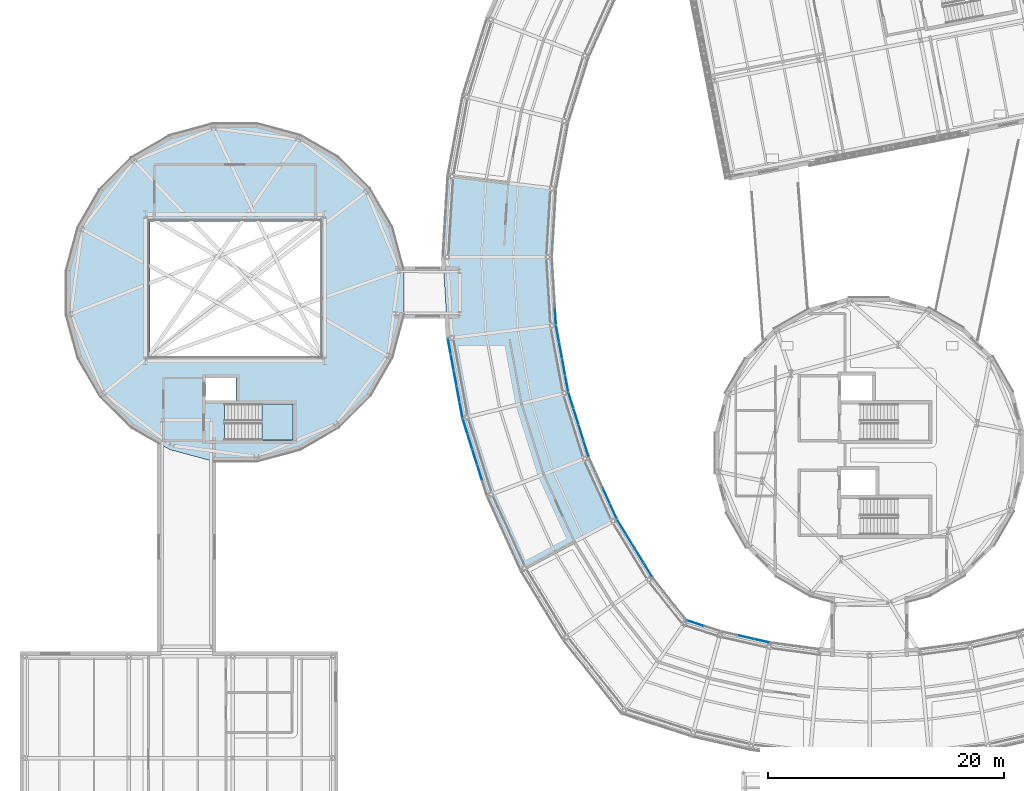
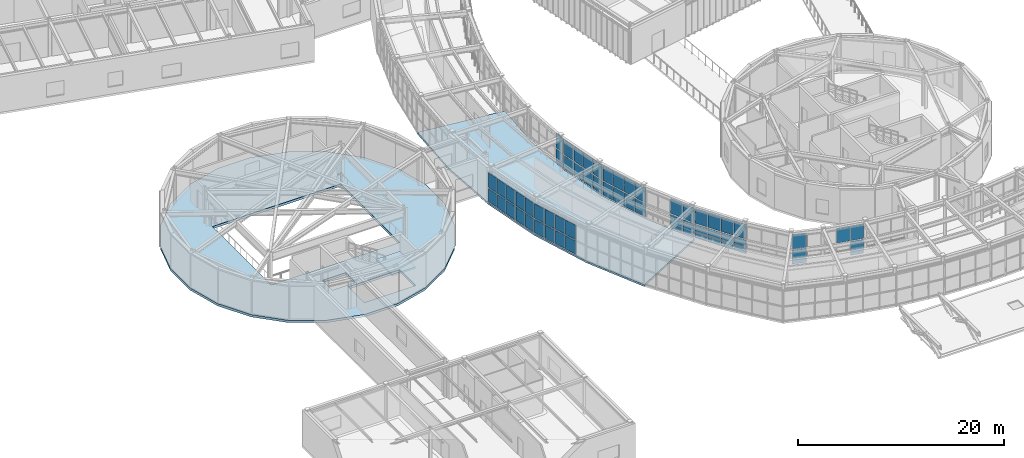
# One storey, part 57 of 103: 53 plates, 3 slabs, 10 elements without a shape of their own.
"""IFC4 building model written with IfcOpenShell, lengths in metres."""

from ifc_helpers import new_model, si_unit, direction, frame, origin, origin_2d, place, context, subcontext, project, spatial, polyline, rectangle, outline, extrude, material, layer, layer_set, type_object, element, aggregate, save


model = new_model("IFC4")

# Units and contexts
model_context = context("Model", 3, precision=1e-05, world=origin(), true_north=direction((0.0, 1.0)))
body_context = subcontext(model_context, "Body", "Model", "MODEL_VIEW")
ifc_project = project(units=[si_unit("LENGTHUNIT", "METRE"), si_unit("AREAUNIT", "SQUARE_METRE"), si_unit("VOLUMEUNIT", "CUBIC_METRE"), si_unit("PLANEANGLEUNIT", "RADIAN"), si_unit("MASSUNIT", "GRAM", prefix="KILO")], contexts=[model_context])

# Site, building, storey
site_placement = place(None, origin())
site = spatial("IfcSite", under=ifc_project, at=site_placement, CompositionType="ELEMENT")
building_placement = place(site_placement, origin())
building = spatial("IfcBuilding", under=site, at=building_placement, Name="Varnklinge Art Gallery", CompositionType="ELEMENT")
storey_placement = place(building_placement, frame((0.0, 0.0, 5.10009765625)))
storey = spatial("IfcBuildingStorey", under=building, at=storey_placement, Name="L01", CompositionType="ELEMENT", Elevation=5.10009765625)

# Curtain wall, plates
ifc_material_1 = material(Name="Anodised Aluminium", Category="aluminium")
curtain_wall_type_1 = type_object("IfcCurtainWallType", Name="CW-R04", PredefinedType="USERDEFINED", material=ifc_material_1)
curtain_wall_1_placement = place(storey_placement, origin())
curtain_wall_1 = element("IfcCurtainWall", 1, at=curtain_wall_1_placement, inside=storey, type_object=curtain_wall_type_1, Name="L01 Curtain Wall CW-V2I-L01-27", ObjectType="UNITISED CURTAIN WALL", PredefinedType="USERDEFINED")
ifc_material_2 = material(Name="Insulated Low-E Triple Glazing", Category="glass")
ifc_layer_1 = layer(ifc_material_2, 0.031982421875)
ifc_layer_set_1 = layer_set([ifc_layer_1], Name="Insulated Low-E Triple Glazing")
plate_type_1 = type_object("IfcPlateType", Name="GLZ-32", PredefinedType="CURTAIN_PANEL", material=ifc_layer_set_1)
plate_1_placement = place(storey_placement, frame((48.91455078125, 49.97802734375, 0.11767578125), z_axis=(0.0, 0.0, 1.0), x_axis=(-0.06087433122, 0.9981454382, 0.0)))
plate_1 = element("IfcPlate", 2, at=plate_1_placement, type_object=plate_type_1, Name="CW-V2I-L01-27 Glazing Panel 1.1", PredefinedType="CURTAIN_PANEL", context=body_context, shape_type="SweptSolid", body=[
    extrude(rectangle(XDim=1.355712890625, YDim=0.031982421875, at=origin_2d()), origin(), (0.0, 0.0, 1.0), 1.614501953125),
])
plate_2_placement = place(storey_placement, frame((48.91455078125, 49.97802734375, 1.84814453125), z_axis=(0.0, 0.0, 1.0), x_axis=(-0.06087433122, 0.9981454382, 0.0)))
plate_2 = element("IfcPlate", 3, at=plate_2_placement, type_object=plate_type_1, Name="CW-V2I-L01-27 Glazing Panel 1.2", PredefinedType="CURTAIN_PANEL", context=body_context, shape_type="SweptSolid", body=[
    extrude(rectangle(XDim=1.355712890625, YDim=0.031982421875, at=origin_2d()), origin(), (0.0, 0.0, 1.0), 1.763671875),
])
aggregate(curtain_wall_1, [plate_1, plate_2])

curtain_wall_2_placement = place(storey_placement, origin())
curtain_wall_2 = element("IfcCurtainWall", 4, at=curtain_wall_2_placement, inside=storey, type_object=curtain_wall_type_1, Name="L01 Curtain Wall CW-V2I-L01-28", ObjectType="UNITISED CURTAIN WALL", PredefinedType="USERDEFINED")
plate_3_placement = place(storey_placement, frame((49.873291015625, 44.296142578125, 0.11767578125), z_axis=(0.0, 0.0, 1.0), x_axis=(-0.181549039717, 0.983381892338, 0.0)))
plate_3 = element("IfcPlate", 5, at=plate_3_placement, type_object=plate_type_1, Name="CW-V2I-L01-28 Glazing Panel 1.1", PredefinedType="CURTAIN_PANEL", context=body_context, shape_type="SweptSolid", body=[
    extrude(rectangle(XDim=1.355712890625, YDim=0.031982421875, at=origin_2d()), origin(), (0.0, 0.0, 1.0), 1.614501953125),
])
plate_4_placement = place(storey_placement, frame((49.873291015625, 44.296142578125, 1.84814453125), z_axis=(0.0, 0.0, 1.0), x_axis=(-0.181549039717, 0.983381892338, 0.0)))
plate_4 = element("IfcPlate", 6, at=plate_4_placement, type_object=plate_type_1, Name="CW-V2I-L01-28 Glazing Panel 1.2", PredefinedType="CURTAIN_PANEL", context=body_context, shape_type="SweptSolid", body=[
    extrude(rectangle(XDim=1.355712890625, YDim=0.031982421875, at=origin_2d()), origin(), (0.0, 0.0, 1.0), 1.763671875),
])
plate_5_placement = place(storey_placement, frame((49.614013671875, 45.69921875, 0.11767578125), z_axis=(0.0, 0.0, 1.0), x_axis=(-0.181549039717, 0.983381892338, 0.0)))
plate_5 = element("IfcPlate", 7, at=plate_5_placement, type_object=plate_type_1, Name="CW-V2I-L01-28 Glazing Panel 2.1", PredefinedType="CURTAIN_PANEL", context=body_context, shape_type="SweptSolid", body=[
    extrude(rectangle(XDim=1.3857421875, YDim=0.031982421875, at=origin_2d()), origin(), (0.0, 0.0, 1.0), 1.614501953125),
])
plate_6_placement = place(storey_placement, frame((49.614013671875, 45.69921875, 1.84814453125), z_axis=(0.0, 0.0, 1.0), x_axis=(-0.181549039717, 0.983381892338, 0.0)))
plate_6 = element("IfcPlate", 8, at=plate_6_placement, type_object=plate_type_1, Name="CW-V2I-L01-28 Glazing Panel 2.2", PredefinedType="CURTAIN_PANEL", context=body_context, shape_type="SweptSolid", body=[
    extrude(rectangle(XDim=1.3857421875, YDim=0.031982421875, at=origin_2d()), origin(), (0.0, 0.0, 1.0), 1.763671875),
])
plate_7_placement = place(storey_placement, frame((49.352294921875, 47.116943359375, 0.11767578125), z_axis=(0.0, 0.0, 1.0), x_axis=(-0.181549039717, 0.983381892338, 0.0)))
plate_7 = element("IfcPlate", 9, at=plate_7_placement, type_object=plate_type_1, Name="CW-V2I-L01-28 Glazing Panel 3.1", PredefinedType="CURTAIN_PANEL", context=body_context, shape_type="SweptSolid", body=[
    extrude(rectangle(XDim=1.3857421875, YDim=0.031982421875, at=origin_2d()), origin(), (0.0, 0.0, 1.0), 1.614501953125),
])
plate_8_placement = place(storey_placement, frame((49.352294921875, 47.116943359375, 1.84814453125), z_axis=(0.0, 0.0, 1.0), x_axis=(-0.181549039717, 0.983381892338, 0.0)))
plate_8 = element("IfcPlate", 10, at=plate_8_placement, type_object=plate_type_1, Name="CW-V2I-L01-28 Glazing Panel 3.2", PredefinedType="CURTAIN_PANEL", context=body_context, shape_type="SweptSolid", body=[
    extrude(rectangle(XDim=1.3857421875, YDim=0.031982421875, at=origin_2d()), origin(), (0.0, 0.0, 1.0), 1.763671875),
])
plate_9_placement = place(storey_placement, frame((49.093017578125, 48.52001953125, 0.11767578125), z_axis=(0.0, 0.0, 1.0), x_axis=(-0.181549039717, 0.983381892338, 0.0)))
plate_9 = element("IfcPlate", 11, at=plate_9_placement, type_object=plate_type_1, Name="CW-V2I-L01-28 Glazing Panel 4.1", PredefinedType="CURTAIN_PANEL", context=body_context, shape_type="SweptSolid", body=[
    extrude(rectangle(XDim=1.355712890625, YDim=0.031982421875, at=origin_2d()), origin(), (0.0, 0.0, 1.0), 1.614501953125),
])
plate_10_placement = place(storey_placement, frame((49.093017578125, 48.52001953125, 1.84814453125), z_axis=(0.0, 0.0, 1.0), x_axis=(-0.181549039717, 0.983381892338, 0.0)))
plate_10 = element("IfcPlate", 12, at=plate_10_placement, type_object=plate_type_1, Name="CW-V2I-L01-28 Glazing Panel 4.2", PredefinedType="CURTAIN_PANEL", context=body_context, shape_type="SweptSolid", body=[
    extrude(rectangle(XDim=1.355712890625, YDim=0.031982421875, at=origin_2d()), origin(), (0.0, 0.0, 1.0), 1.763671875),
])
aggregate(curtain_wall_2, [plate_3, plate_4, plate_5, plate_6, plate_7, plate_8, plate_9, plate_10])

curtain_wall_3_placement = place(storey_placement, origin())
curtain_wall_3 = element("IfcCurtainWall", 13, at=curtain_wall_3_placement, inside=storey, type_object=curtain_wall_type_1, Name="L01 Curtain Wall CW-V2I-L01-29", ObjectType="UNITISED CURTAIN WALL", PredefinedType="USERDEFINED")
plate_11_placement = place(storey_placement, frame((51.514892578125, 38.7724609375, 0.11767578125), z_axis=(0.0, 0.0, 1.0), x_axis=(-0.299706904751, 0.954031326134, 0.0)))
plate_11 = element("IfcPlate", 14, at=plate_11_placement, type_object=plate_type_1, Name="CW-V2I-L01-29 Glazing Panel 1.1", PredefinedType="CURTAIN_PANEL", context=body_context, shape_type="SweptSolid", body=[
    extrude(rectangle(XDim=1.355712890625, YDim=0.031982421875, at=origin_2d()), origin(), (0.0, 0.0, 1.0), 1.614501953125),
])
plate_12_placement = place(storey_placement, frame((51.514892578125, 38.7724609375, 1.84814453125), z_axis=(0.0, 0.0, 1.0), x_axis=(-0.299706904751, 0.954031326134, 0.0)))
plate_12 = element("IfcPlate", 15, at=plate_12_placement, type_object=plate_type_1, Name="CW-V2I-L01-29 Glazing Panel 1.2", PredefinedType="CURTAIN_PANEL", context=body_context, shape_type="SweptSolid", body=[
    extrude(rectangle(XDim=1.355712890625, YDim=0.031982421875, at=origin_2d()), origin(), (0.0, 0.0, 1.0), 1.763671875),
])
plate_13_placement = place(storey_placement, frame((51.08740234375, 40.1337890625, 0.11767578125), z_axis=(0.0, 0.0, 1.0), x_axis=(-0.299706904751, 0.954031326134, 0.0)))
plate_13 = element("IfcPlate", 16, at=plate_13_placement, type_object=plate_type_1, Name="CW-V2I-L01-29 Glazing Panel 2.1", PredefinedType="CURTAIN_PANEL", context=body_context, shape_type="SweptSolid", body=[
    extrude(rectangle(XDim=1.3857421875, YDim=0.031982421875, at=origin_2d()), origin(), (0.0, 0.0, 1.0), 1.614501953125),
])
plate_14_placement = place(storey_placement, frame((51.08740234375, 40.1337890625, 1.84814453125), z_axis=(0.0, 0.0, 1.0), x_axis=(-0.299706904751, 0.954031326134, 0.0)))
plate_14 = element("IfcPlate", 17, at=plate_14_placement, type_object=plate_type_1, Name="CW-V2I-L01-29 Glazing Panel 2.2", PredefinedType="CURTAIN_PANEL", context=body_context, shape_type="SweptSolid", body=[
    extrude(rectangle(XDim=1.3857421875, YDim=0.031982421875, at=origin_2d()), origin(), (0.0, 0.0, 1.0), 1.763671875),
])
plate_15_placement = place(storey_placement, frame((50.6552734375, 41.509033203125, 0.11767578125), z_axis=(0.0, 0.0, 1.0), x_axis=(-0.299706904751, 0.954031326134, 0.0)))
plate_15 = element("IfcPlate", 18, at=plate_15_placement, type_object=plate_type_1, Name="CW-V2I-L01-29 Glazing Panel 3.1", PredefinedType="CURTAIN_PANEL", context=body_context, shape_type="SweptSolid", body=[
    extrude(rectangle(XDim=1.3857421875, YDim=0.031982421875, at=origin_2d()), origin(), (0.0, 0.0, 1.0), 1.614501953125),
])
plate_16_placement = place(storey_placement, frame((50.6552734375, 41.509033203125, 1.84814453125), z_axis=(0.0, 0.0, 1.0), x_axis=(-0.299706904751, 0.954031326134, 0.0)))
plate_16 = element("IfcPlate", 19, at=plate_16_placement, type_object=plate_type_1, Name="CW-V2I-L01-29 Glazing Panel 3.2", PredefinedType="CURTAIN_PANEL", context=body_context, shape_type="SweptSolid", body=[
    extrude(rectangle(XDim=1.3857421875, YDim=0.031982421875, at=origin_2d()), origin(), (0.0, 0.0, 1.0), 1.763671875),
])
plate_17_placement = place(storey_placement, frame((50.2275390625, 42.870361328125, 0.11767578125), z_axis=(0.0, 0.0, 1.0), x_axis=(-0.299706904751, 0.954031326134, 0.0)))
plate_17 = element("IfcPlate", 20, at=plate_17_placement, type_object=plate_type_1, Name="CW-V2I-L01-29 Glazing Panel 4.1", PredefinedType="CURTAIN_PANEL", context=body_context, shape_type="SweptSolid", body=[
    extrude(rectangle(XDim=1.355712890625, YDim=0.031982421875, at=origin_2d()), origin(), (0.0, 0.0, 1.0), 1.614501953125),
])
plate_18_placement = place(storey_placement, frame((50.2275390625, 42.870361328125, 1.84814453125), z_axis=(0.0, 0.0, 1.0), x_axis=(-0.299706904751, 0.954031326134, 0.0)))
plate_18 = element("IfcPlate", 21, at=plate_18_placement, type_object=plate_type_1, Name="CW-V2I-L01-29 Glazing Panel 4.2", PredefinedType="CURTAIN_PANEL", context=body_context, shape_type="SweptSolid", body=[
    extrude(rectangle(XDim=1.355712890625, YDim=0.031982421875, at=origin_2d()), origin(), (0.0, 0.0, 1.0), 1.763671875),
])
aggregate(curtain_wall_3, [plate_11, plate_12, plate_13, plate_14, plate_15, plate_16, plate_17, plate_18])

curtain_wall_4_placement = place(storey_placement, origin())
curtain_wall_4 = element("IfcCurtainWall", 22, at=curtain_wall_4_placement, inside=storey, type_object=curtain_wall_type_1, Name="L01 Curtain Wall CW-V2I-L01-30", ObjectType="UNITISED CURTAIN WALL", PredefinedType="USERDEFINED")
plate_19_placement = place(storey_placement, frame((53.8154296875, 33.4892578125, 0.11767578125), z_axis=(0.0, 0.0, 1.0), x_axis=(-0.413422293217, 0.910539404678, 0.0)))
plate_19 = element("IfcPlate", 23, at=plate_19_placement, type_object=plate_type_1, Name="CW-V2I-L01-30 Glazing Panel 1.1", PredefinedType="CURTAIN_PANEL", context=body_context, shape_type="SweptSolid", body=[
    extrude(rectangle(XDim=1.355712890625, YDim=0.031982421875, at=origin_2d()), origin(), (0.0, 0.0, 1.0), 1.614501953125),
])
plate_20_placement = place(storey_placement, frame((53.8154296875, 33.4892578125, 1.84814453125), z_axis=(0.0, 0.0, 1.0), x_axis=(-0.413422293217, 0.910539404678, 0.0)))
plate_20 = element("IfcPlate", 24, at=plate_20_placement, type_object=plate_type_1, Name="CW-V2I-L01-30 Glazing Panel 1.2", PredefinedType="CURTAIN_PANEL", context=body_context, shape_type="SweptSolid", body=[
    extrude(rectangle(XDim=1.355712890625, YDim=0.031982421875, at=origin_2d()), origin(), (0.0, 0.0, 1.0), 1.763671875),
])
plate_21_placement = place(storey_placement, frame((53.2255859375, 34.788330078125, 0.11767578125), z_axis=(0.0, 0.0, 1.0), x_axis=(-0.413422293217, 0.910539404678, 0.0)))
plate_21 = element("IfcPlate", 25, at=plate_21_placement, type_object=plate_type_1, Name="CW-V2I-L01-30 Glazing Panel 2.1", PredefinedType="CURTAIN_PANEL", context=body_context, shape_type="SweptSolid", body=[
    extrude(rectangle(XDim=1.3857421875, YDim=0.031982421875, at=origin_2d()), origin(), (0.0, 0.0, 1.0), 1.614501953125),
])
plate_22_placement = place(storey_placement, frame((53.2255859375, 34.788330078125, 1.84814453125), z_axis=(0.0, 0.0, 1.0), x_axis=(-0.413422293217, 0.910539404678, 0.0)))
plate_22 = element("IfcPlate", 26, at=plate_22_placement, type_object=plate_type_1, Name="CW-V2I-L01-30 Glazing Panel 2.2", PredefinedType="CURTAIN_PANEL", context=body_context, shape_type="SweptSolid", body=[
    extrude(rectangle(XDim=1.3857421875, YDim=0.031982421875, at=origin_2d()), origin(), (0.0, 0.0, 1.0), 1.763671875),
])
aggregate(curtain_wall_4, [plate_19, plate_20, plate_21, plate_22])

curtain_wall_5_placement = place(storey_placement, origin())
curtain_wall_5 = element("IfcCurtainWall", 27, at=curtain_wall_5_placement, inside=storey, type_object=curtain_wall_type_1, Name="L01 Curtain Wall CW-V2I-L01-31", ObjectType="UNITISED CURTAIN WALL", PredefinedType="USERDEFINED")
plate_23_placement = place(storey_placement, frame((56.740478515625, 28.524658203125, 0.11767578125), z_axis=(0.0, 0.0, 1.0), x_axis=(-0.520860651188, 0.85364171761, 0.0)))
plate_23 = element("IfcPlate", 28, at=plate_23_placement, type_object=plate_type_1, Name="CW-V2I-L01-31 Glazing Panel 1.1", PredefinedType="CURTAIN_PANEL", context=body_context, shape_type="SweptSolid", body=[
    extrude(rectangle(XDim=1.355712890625, YDim=0.031982421875, at=origin_2d()), origin(), (0.0, 0.0, 1.0), 1.614501953125),
])
plate_24_placement = place(storey_placement, frame((56.740478515625, 28.524658203125, 1.84814453125), z_axis=(0.0, 0.0, 1.0), x_axis=(-0.520860651188, 0.85364171761, 0.0)))
plate_24 = element("IfcPlate", 29, at=plate_24_placement, type_object=plate_type_1, Name="CW-V2I-L01-31 Glazing Panel 1.2", PredefinedType="CURTAIN_PANEL", context=body_context, shape_type="SweptSolid", body=[
    extrude(rectangle(XDim=1.355712890625, YDim=0.031982421875, at=origin_2d()), origin(), (0.0, 0.0, 1.0), 1.763671875),
])
plate_25_placement = place(storey_placement, frame((55.997314453125, 29.742431640625, 0.11767578125), z_axis=(0.0, 0.0, 1.0), x_axis=(-0.520860651188, 0.85364171761, 0.0)))
plate_25 = element("IfcPlate", 30, at=plate_25_placement, type_object=plate_type_1, Name="CW-V2I-L01-31 Glazing Panel 2.1", PredefinedType="CURTAIN_PANEL", context=body_context, shape_type="SweptSolid", body=[
    extrude(rectangle(XDim=1.3857421875, YDim=0.031982421875, at=origin_2d()), origin(), (0.0, 0.0, 1.0), 1.614501953125),
])
plate_26_placement = place(storey_placement, frame((55.997314453125, 29.742431640625, 1.84814453125), z_axis=(0.0, 0.0, 1.0), x_axis=(-0.520860651188, 0.85364171761, 0.0)))
plate_26 = element("IfcPlate", 31, at=plate_26_placement, type_object=plate_type_1, Name="CW-V2I-L01-31 Glazing Panel 2.2", PredefinedType="CURTAIN_PANEL", context=body_context, shape_type="SweptSolid", body=[
    extrude(rectangle(XDim=1.3857421875, YDim=0.031982421875, at=origin_2d()), origin(), (0.0, 0.0, 1.0), 1.763671875),
])
plate_27_placement = place(storey_placement, frame((55.246337890625, 30.97314453125, 0.11767578125), z_axis=(0.0, 0.0, 1.0), x_axis=(-0.520860651188, 0.85364171761, 0.0)))
plate_27 = element("IfcPlate", 32, at=plate_27_placement, type_object=plate_type_1, Name="CW-V2I-L01-31 Glazing Panel 3.1", PredefinedType="CURTAIN_PANEL", context=body_context, shape_type="SweptSolid", body=[
    extrude(rectangle(XDim=1.3857421875, YDim=0.031982421875, at=origin_2d()), origin(), (0.0, 0.0, 1.0), 1.614501953125),
])
plate_28_placement = place(storey_placement, frame((55.246337890625, 30.97314453125, 1.84814453125), z_axis=(0.0, 0.0, 1.0), x_axis=(-0.520860651188, 0.85364171761, 0.0)))
plate_28 = element("IfcPlate", 33, at=plate_28_placement, type_object=plate_type_1, Name="CW-V2I-L01-31 Glazing Panel 3.2", PredefinedType="CURTAIN_PANEL", context=body_context, shape_type="SweptSolid", body=[
    extrude(rectangle(XDim=1.3857421875, YDim=0.031982421875, at=origin_2d()), origin(), (0.0, 0.0, 1.0), 1.763671875),
])
plate_29_placement = place(storey_placement, frame((54.503173828125, 32.19091796875, 0.11767578125), z_axis=(0.0, 0.0, 1.0), x_axis=(-0.520860651188, 0.85364171761, 0.0)))
plate_29 = element("IfcPlate", 34, at=plate_29_placement, type_object=plate_type_1, Name="CW-V2I-L01-31 Glazing Panel 4.1", PredefinedType="CURTAIN_PANEL", context=body_context, shape_type="SweptSolid", body=[
    extrude(rectangle(XDim=1.355712890625, YDim=0.031982421875, at=origin_2d()), origin(), (0.0, 0.0, 1.0), 1.614501953125),
])
plate_30_placement = place(storey_placement, frame((54.503173828125, 32.19091796875, 1.84814453125), z_axis=(0.0, 0.0, 1.0), x_axis=(-0.520860651188, 0.85364171761, 0.0)))
plate_30 = element("IfcPlate", 35, at=plate_30_placement, type_object=plate_type_1, Name="CW-V2I-L01-31 Glazing Panel 4.2", PredefinedType="CURTAIN_PANEL", context=body_context, shape_type="SweptSolid", body=[
    extrude(rectangle(XDim=1.355712890625, YDim=0.031982421875, at=origin_2d()), origin(), (0.0, 0.0, 1.0), 1.763671875),
])
aggregate(curtain_wall_5, [plate_23, plate_24, plate_25, plate_26, plate_27, plate_28, plate_29, plate_30])

curtain_wall_6_placement = place(storey_placement, origin())
curtain_wall_6 = element("IfcCurtainWall", 36, at=curtain_wall_6_placement, inside=storey, type_object=curtain_wall_type_1, Name="L01 Curtain Wall CW-V2I-L01-33", ObjectType="UNITISED CURTAIN WALL", PredefinedType="USERDEFINED")
plate_31_placement = place(storey_placement, frame((60.755126953125, 24.006103515625, 0.11767578125), z_axis=(0.0, 0.0, 1.0), x_axis=(-0.951272019071, 0.30835295642, 0.0)))
plate_31 = element("IfcPlate", 37, at=plate_31_placement, type_object=plate_type_1, Name="CW-V2I-L01-33 Glazing Panel 2.1", PredefinedType="CURTAIN_PANEL", context=body_context, shape_type="SweptSolid", body=[
    extrude(rectangle(XDim=1.442138671875, YDim=0.031982421875, at=origin_2d()), origin(), (0.0, 0.0, 1.0), 1.614501953125),
])
plate_32_placement = place(storey_placement, frame((60.755126953125, 24.006103515625, 1.84814453125), z_axis=(0.0, 0.0, 1.0), x_axis=(-0.951272019071, 0.30835295642, 0.0)))
plate_32 = element("IfcPlate", 38, at=plate_32_placement, type_object=plate_type_1, Name="CW-V2I-L01-33 Glazing Panel 2.2", PredefinedType="CURTAIN_PANEL", context=body_context, shape_type="SweptSolid", body=[
    extrude(rectangle(XDim=1.442138671875, YDim=0.031982421875, at=origin_2d()), origin(), (0.0, 0.0, 1.0), 1.763671875),
])
aggregate(curtain_wall_6, [plate_31, plate_32])

curtain_wall_7_placement = place(storey_placement, origin())
curtain_wall_7 = element("IfcCurtainWall", 39, at=curtain_wall_7_placement, inside=storey, type_object=curtain_wall_type_1, Name="L01 Curtain Wall CW-V2I-L01-34", ObjectType="UNITISED CURTAIN WALL", PredefinedType="USERDEFINED")
plate_33_placement = place(storey_placement, frame((66.35400390625, 22.52294921875, 0.11767578125), z_axis=(0.0, 0.0, 1.0), x_axis=(-0.975071959883, 0.221888875454, 0.0)))
plate_33 = element("IfcPlate", 40, at=plate_33_placement, type_object=plate_type_1, Name="CW-V2I-L01-34 Glazing Panel 1.1", PredefinedType="CURTAIN_PANEL", context=body_context, shape_type="SweptSolid", body=[
    extrude(rectangle(XDim=1.328125, YDim=0.031982421875, at=origin_2d()), origin(), (0.0, 0.0, 1.0), 1.614501953125),
])
plate_34_placement = place(storey_placement, frame((66.35400390625, 22.52294921875, 1.84814453125), z_axis=(0.0, 0.0, 1.0), x_axis=(-0.975071959883, 0.221888875454, 0.0)))
plate_34 = element("IfcPlate", 41, at=plate_34_placement, type_object=plate_type_1, Name="CW-V2I-L01-34 Glazing Panel 1.2", PredefinedType="CURTAIN_PANEL", context=body_context, shape_type="SweptSolid", body=[
    extrude(rectangle(XDim=1.328125, YDim=0.031982421875, at=origin_2d()), origin(), (0.0, 0.0, 1.0), 1.763671875),
])
plate_35_placement = place(storey_placement, frame((64.989501953125, 22.83349609375, 1.84814453125), z_axis=(0.0, 0.0, 1.0), x_axis=(-0.975071959883, 0.221888875454, 0.0)))
plate_35 = element("IfcPlate", 42, at=plate_35_placement, type_object=plate_type_1, Name="CW-V2I-L01-34 Glazing Panel 2.2", PredefinedType="CURTAIN_PANEL", context=body_context, shape_type="SweptSolid", body=[
    extrude(rectangle(XDim=1.358154296875, YDim=0.031982421875, at=origin_2d()), origin(), (0.0, 0.0, 1.0), 1.763671875),
])
aggregate(curtain_wall_7, [plate_33, plate_34, plate_35])

ifc_material_3 = material(Name="Anodised Aluminium", Category="aluminium")
curtain_wall_type_2 = type_object("IfcCurtainWallType", Name="CW-R02", PredefinedType="USERDEFINED", material=ifc_material_3)
curtain_wall_8_placement = place(storey_placement, origin())
curtain_wall_8 = element("IfcCurtainWall", 43, at=curtain_wall_8_placement, inside=storey, type_object=curtain_wall_type_2, Name="L01 Curtain Wall CW-V2O-L01-28", ObjectType="UNITISED CURTAIN WALL", PredefinedType="USERDEFINED")
ifc_material_4 = material(Name="Insulated Low-E Triple Glazing", Category="glass")
ifc_layer_2 = layer(ifc_material_4, 0.0380859375)
ifc_layer_set_2 = layer_set([ifc_layer_2], Name="Insulated Low-E Triple Glazing")
plate_type_2 = type_object("IfcPlateType", Name="GLZ-38", PredefinedType="CURTAIN_PANEL", material=ifc_layer_set_2)
plate_36_placement = place(storey_placement, frame((39.938720703125, 47.4306640625, 0.14794921875), z_axis=(0.0, 0.0, 1.0), x_axis=(0.18172066947, -0.983350191075, 0.0)))
plate_36 = element("IfcPlate", 44, at=plate_36_placement, type_object=plate_type_2, Name="CW-V2O-L01-28 Glazing Panel 1.1", PredefinedType="CURTAIN_PANEL", context=body_context, shape_type="SweptSolid", body=[
    extrude(rectangle(XDim=1.2841796875, YDim=0.0380859375, at=origin_2d()), origin(), (0.0, 0.0, 1.0), 1.5693359375),
])
plate_37_placement = place(storey_placement, frame((39.938720703125, 47.4306640625, 1.86328125), z_axis=(0.0, 0.0, 1.0), x_axis=(0.18172066947, -0.983350191075, 0.0)))
plate_37 = element("IfcPlate", 45, at=plate_37_placement, type_object=plate_type_2, Name="CW-V2O-L01-28 Glazing Panel 1.2", PredefinedType="CURTAIN_PANEL", context=body_context, shape_type="SweptSolid", body=[
    extrude(rectangle(XDim=1.2841796875, YDim=0.0380859375, at=origin_2d()), origin(), (0.0, 0.0, 1.0), 1.718505859375),
])
plate_38_placement = place(storey_placement, frame((40.18603515625, 46.091796875, 0.14794921875), z_axis=(0.0, 0.0, 1.0), x_axis=(0.18172066947, -0.983350191075, 0.0)))
plate_38 = element("IfcPlate", 46, at=plate_38_placement, type_object=plate_type_2, Name="CW-V2O-L01-28 Glazing Panel 2.1", PredefinedType="CURTAIN_PANEL", context=body_context, shape_type="SweptSolid", body=[
    extrude(rectangle(XDim=1.31689453125, YDim=0.0380859375, at=origin_2d()), origin(), (0.0, 0.0, 1.0), 1.5693359375),
])
plate_39_placement = place(storey_placement, frame((40.18603515625, 46.091796875, 1.86328125), z_axis=(0.0, 0.0, 1.0), x_axis=(0.18172066947, -0.983350191075, 0.0)))
plate_39 = element("IfcPlate", 47, at=plate_39_placement, type_object=plate_type_2, Name="CW-V2O-L01-28 Glazing Panel 2.2", PredefinedType="CURTAIN_PANEL", context=body_context, shape_type="SweptSolid", body=[
    extrude(rectangle(XDim=1.31689453125, YDim=0.0380859375, at=origin_2d()), origin(), (0.0, 0.0, 1.0), 1.718505859375),
])
plate_40_placement = place(storey_placement, frame((40.436279296875, 44.73681640625, 0.14794921875), z_axis=(0.0, 0.0, 1.0), x_axis=(0.18172066947, -0.983350191075, 0.0)))
plate_40 = element("IfcPlate", 48, at=plate_40_placement, type_object=plate_type_2, Name="CW-V2O-L01-28 Glazing Panel 3.1", PredefinedType="CURTAIN_PANEL", context=body_context, shape_type="SweptSolid", body=[
    extrude(rectangle(XDim=1.31689453125, YDim=0.0380859375, at=origin_2d()), origin(), (0.0, 0.0, 1.0), 1.5693359375),
])
plate_41_placement = place(storey_placement, frame((40.436279296875, 44.73681640625, 1.86328125), z_axis=(0.0, 0.0, 1.0), x_axis=(0.18172066947, -0.983350191075, 0.0)))
plate_41 = element("IfcPlate", 49, at=plate_41_placement, type_object=plate_type_2, Name="CW-V2O-L01-28 Glazing Panel 3.2", PredefinedType="CURTAIN_PANEL", context=body_context, shape_type="SweptSolid", body=[
    extrude(rectangle(XDim=1.31689453125, YDim=0.0380859375, at=origin_2d()), origin(), (0.0, 0.0, 1.0), 1.718505859375),
])
plate_42_placement = place(storey_placement, frame((40.6865234375, 43.382080078125, 0.14794921875), z_axis=(0.0, 0.0, 1.0), x_axis=(0.18172066947, -0.983350191075, 0.0)))
plate_42 = element("IfcPlate", 50, at=plate_42_placement, type_object=plate_type_2, Name="CW-V2O-L01-28 Glazing Panel 4.1", PredefinedType="CURTAIN_PANEL", context=body_context, shape_type="SweptSolid", body=[
    extrude(rectangle(XDim=1.31689453125, YDim=0.0380859375, at=origin_2d()), origin(), (0.0, 0.0, 1.0), 1.5693359375),
])
plate_43_placement = place(storey_placement, frame((40.6865234375, 43.382080078125, 1.86328125), z_axis=(0.0, 0.0, 1.0), x_axis=(0.18172066947, -0.983350191075, 0.0)))
plate_43 = element("IfcPlate", 51, at=plate_43_placement, type_object=plate_type_2, Name="CW-V2O-L01-28 Glazing Panel 4.2", PredefinedType="CURTAIN_PANEL", context=body_context, shape_type="SweptSolid", body=[
    extrude(rectangle(XDim=1.31689453125, YDim=0.0380859375, at=origin_2d()), origin(), (0.0, 0.0, 1.0), 1.718505859375),
])
plate_44_placement = place(storey_placement, frame((40.933837890625, 42.043212890625, 0.14794921875), z_axis=(0.0, 0.0, 1.0), x_axis=(0.18172066947, -0.983350191075, 0.0)))
plate_44 = element("IfcPlate", 52, at=plate_44_placement, type_object=plate_type_2, Name="CW-V2O-L01-28 Glazing Panel 5.1", PredefinedType="CURTAIN_PANEL", context=body_context, shape_type="SweptSolid", body=[
    extrude(rectangle(XDim=1.2841796875, YDim=0.0380859375, at=origin_2d()), origin(), (0.0, 0.0, 1.0), 1.5693359375),
])
plate_45_placement = place(storey_placement, frame((40.933837890625, 42.043212890625, 1.86328125), z_axis=(0.0, 0.0, 1.0), x_axis=(0.18172066947, -0.983350191075, 0.0)))
plate_45 = element("IfcPlate", 53, at=plate_45_placement, type_object=plate_type_2, Name="CW-V2O-L01-28 Glazing Panel 5.2", PredefinedType="CURTAIN_PANEL", context=body_context, shape_type="SweptSolid", body=[
    extrude(rectangle(XDim=1.2841796875, YDim=0.0380859375, at=origin_2d()), origin(), (0.0, 0.0, 1.0), 1.718505859375),
])
aggregate(curtain_wall_8, [plate_36, plate_37, plate_38, plate_39, plate_40, plate_41, plate_42, plate_43, plate_44, plate_45])

curtain_wall_9_placement = place(storey_placement, origin())
curtain_wall_9 = element("IfcCurtainWall", 54, at=curtain_wall_9_placement, inside=storey, type_object=curtain_wall_type_2, Name="L01 Curtain Wall CW-V2O-L01-29", ObjectType="UNITISED CURTAIN WALL", PredefinedType="USERDEFINED")
plate_46_placement = place(storey_placement, frame((41.273193359375, 40.677001953125, 0.14794921875), z_axis=(0.0, 0.0, 1.0), x_axis=(0.299706904751, -0.954031326134, 0.0)))
plate_46 = element("IfcPlate", 55, at=plate_46_placement, type_object=plate_type_2, Name="CW-V2O-L01-29 Glazing Panel 1.1", PredefinedType="CURTAIN_PANEL", context=body_context, shape_type="SweptSolid", body=[
    extrude(rectangle(XDim=1.2841796875, YDim=0.0380859375, at=origin_2d()), origin(), (0.0, 0.0, 1.0), 1.5693359375),
])
plate_47_placement = place(storey_placement, frame((41.273193359375, 40.677001953125, 1.86328125), z_axis=(0.0, 0.0, 1.0), x_axis=(0.299706904751, -0.954031326134, 0.0)))
plate_47 = element("IfcPlate", 56, at=plate_47_placement, type_object=plate_type_2, Name="CW-V2O-L01-29 Glazing Panel 1.2", PredefinedType="CURTAIN_PANEL", context=body_context, shape_type="SweptSolid", body=[
    extrude(rectangle(XDim=1.2841796875, YDim=0.0380859375, at=origin_2d()), origin(), (0.0, 0.0, 1.0), 1.718505859375),
])
plate_48_placement = place(storey_placement, frame((41.681396484375, 39.378173828125, 0.14794921875), z_axis=(0.0, 0.0, 1.0), x_axis=(0.299706904751, -0.954031326134, 0.0)))
plate_48 = element("IfcPlate", 57, at=plate_48_placement, type_object=plate_type_2, Name="CW-V2O-L01-29 Glazing Panel 2.1", PredefinedType="CURTAIN_PANEL", context=body_context, shape_type="SweptSolid", body=[
    extrude(rectangle(XDim=1.316650390625, YDim=0.0380859375, at=origin_2d()), origin(), (0.0, 0.0, 1.0), 1.5693359375),
])
plate_49_placement = place(storey_placement, frame((41.681396484375, 39.378173828125, 1.86328125), z_axis=(0.0, 0.0, 1.0), x_axis=(0.299706904751, -0.954031326134, 0.0)))
plate_49 = element("IfcPlate", 58, at=plate_49_placement, type_object=plate_type_2, Name="CW-V2O-L01-29 Glazing Panel 2.2", PredefinedType="CURTAIN_PANEL", context=body_context, shape_type="SweptSolid", body=[
    extrude(rectangle(XDim=1.316650390625, YDim=0.0380859375, at=origin_2d()), origin(), (0.0, 0.0, 1.0), 1.718505859375),
])
plate_50_placement = place(storey_placement, frame((42.09423828125, 38.063720703125, 0.14794921875), z_axis=(0.0, 0.0, 1.0), x_axis=(0.299706904751, -0.954031326134, 0.0)))
plate_50 = element("IfcPlate", 59, at=plate_50_placement, type_object=plate_type_2, Name="CW-V2O-L01-29 Glazing Panel 3.1", PredefinedType="CURTAIN_PANEL", context=body_context, shape_type="SweptSolid", body=[
    extrude(rectangle(XDim=1.316650390625, YDim=0.0380859375, at=origin_2d()), origin(), (0.0, 0.0, 1.0), 1.5693359375),
])
plate_51_placement = place(storey_placement, frame((42.09423828125, 38.063720703125, 1.86328125), z_axis=(0.0, 0.0, 1.0), x_axis=(0.299706904751, -0.954031326134, 0.0)))
plate_51 = element("IfcPlate", 60, at=plate_51_placement, type_object=plate_type_2, Name="CW-V2O-L01-29 Glazing Panel 3.2", PredefinedType="CURTAIN_PANEL", context=body_context, shape_type="SweptSolid", body=[
    extrude(rectangle(XDim=1.316650390625, YDim=0.0380859375, at=origin_2d()), origin(), (0.0, 0.0, 1.0), 1.718505859375),
])
plate_52_placement = place(storey_placement, frame((42.507080078125, 36.74951171875, 0.14794921875), z_axis=(0.0, 0.0, 1.0), x_axis=(0.299706904751, -0.954031326134, 0.0)))
plate_52 = element("IfcPlate", 61, at=plate_52_placement, type_object=plate_type_2, Name="CW-V2O-L01-29 Glazing Panel 4.1", PredefinedType="CURTAIN_PANEL", context=body_context, shape_type="SweptSolid", body=[
    extrude(rectangle(XDim=1.316650390625, YDim=0.0380859375, at=origin_2d()), origin(), (0.0, 0.0, 1.0), 1.5693359375),
])
plate_53_placement = place(storey_placement, frame((42.507080078125, 36.74951171875, 1.86328125), z_axis=(0.0, 0.0, 1.0), x_axis=(0.299706904751, -0.954031326134, 0.0)))
plate_53 = element("IfcPlate", 62, at=plate_53_placement, type_object=plate_type_2, Name="CW-V2O-L01-29 Glazing Panel 4.2", PredefinedType="CURTAIN_PANEL", context=body_context, shape_type="SweptSolid", body=[
    extrude(rectangle(XDim=1.316650390625, YDim=0.0380859375, at=origin_2d()), origin(), (0.0, 0.0, 1.0), 1.718505859375),
])
aggregate(curtain_wall_9, [plate_46, plate_47, plate_48, plate_49, plate_50, plate_51, plate_52, plate_53])

# Slabs
ifc_material_5 = material(Name="Concrete C35/45", Category="concrete")
ifc_layer_3 = layer(ifc_material_5, 0.219970703125)
ifc_layer_set_3 = layer_set([ifc_layer_3], Name="Concrete C35/45")
slab_type_1 = type_object("IfcSlabType", Name="SLB-F22", PredefinedType="FLOOR", material=ifc_layer_set_3)
slab_1_placement = place(storey_placement, frame((0.0, 0.0, -0.22021484375)))
element("IfcSlab", 63, at=slab_1_placement, inside=storey, type_object=slab_type_1, Name="L01 Curved Gallery Ring Sector 6", PredefinedType="FLOOR", context=body_context, shape_type="SweptSolid", body=[
    extrude(outline(polyline([(39.3916015625, 55.0), (39.810546875, 48.1240234375), (41.06201171875, 41.349853515625), (43.126708984375, 34.77783203125), (45.974609375, 28.505126953125), (54.11962890625, 32.819091796875), (51.735595703125, 38.0703125), (50.0068359375, 43.572509765625), (48.95947265625, 49.24365234375), (48.6083984375, 55.0), (48.95947265625, 60.75634765625), (39.810546875, 61.8759765625), (39.3916015625, 55.0)])), origin(), (0.0, 0.0, 1.0), 0.22021484375),
])
ifc_material_6 = material(Name="Concrete C40/50", Category="concrete")
ifc_layer_4 = layer(ifc_material_6, 0.280029296875)
ifc_layer_set_4 = layer_set([ifc_layer_4], Name="Concrete C40/50")
slab_type_2 = type_object("IfcSlabType", Name="SLB-F28", PredefinedType="FLOOR", material=ifc_layer_set_4)
slab_2_placement = place(storey_placement, frame((0.0, 0.0, -0.280029296875)))
element("IfcSlab", 64, at=slab_2_placement, inside=storey, type_object=slab_type_2, Name="L01 Auditorium Drum Slab", PredefinedType="FLOOR", context=body_context, shape_type="SweptSolid", body=[
    extrude(outline(polyline([(35.10400390625, 46.489501953125), (36.076904296875, 50.120361328125), (36.076904296875, 53.879638671875), (35.10400390625, 57.510498046875), (33.224365234375, 60.76611328125), (30.566162109375, 63.42431640625), (27.310546875, 65.303955078125), (23.6796875, 66.27685546875), (19.92041015625, 66.27685546875), (16.289306640625, 65.303955078125), (13.03369140625, 63.42431640625), (10.375732421875, 60.76611328125), (8.49609375, 57.510498046875), (7.523193359375, 53.879638671875), (7.523193359375, 50.120361328125), (8.49609375, 46.489501953125), (10.375732421875, 43.23388671875), (13.03369140625, 40.57568359375), (16.289306640625, 38.696044921875), (19.92041015625, 37.72314453125), (23.6796875, 37.72314453125), (27.310546875, 38.696044921875), (30.566162109375, 40.57568359375), (33.224365234375, 43.23388671875), (35.10400390625, 46.489501953125)]), holes=[polyline([(20.925048828125, 39.5), (20.925048828125, 42.56005859375), (26.699951171875, 42.56005859375), (26.699951171875, 39.5), (20.925048828125, 39.5)]), polyline([(21.89990234375, 44.760009765625), (21.89990234375, 42.860107421875), (19.300048828125, 42.860107421875), (19.300048828125, 44.760009765625), (21.89990234375, 44.760009765625)]), polyline([(29.0, 46.60009765625), (14.60009765625, 46.60009765625), (14.60009765625, 58.0), (29.0, 58.0), (29.0, 46.60009765625)])]), origin(), (0.0, 0.0, 1.0), 0.280029296875),
])

# Stair, slab
ifc_material_7 = material(Name="Concrete C40/50", Category="concrete")
stair_type = type_object("IfcStairType", Name="STR-C4420", PredefinedType="HALF_TURN_STAIR", material=ifc_material_7)
stair_placement = place(storey_placement, origin())
stair = element("IfcStair", 65, at=stair_placement, inside=storey, type_object=stair_type, Name="L01 Core C6 Stair ST-06", PredefinedType="HALF_TURN_STAIR")
ifc_material_8 = material(Name="Concrete C40/50", Category="concrete")
ifc_layer_5 = layer(ifc_material_8, 0.199951171875)
ifc_layer_set_5 = layer_set([ifc_layer_5], Name="Concrete C40/50")
slab_type_3 = type_object("IfcSlabType", Name="SLB-LND20", PredefinedType="LANDING", material=ifc_layer_set_5)
slab_3_placement = place(storey_placement, frame((0.0, 0.0, 2.010009765625)))
slab_3 = element("IfcSlab", 66, at=slab_3_placement, type_object=slab_type_3, Name="ST-06 landing 1", PredefinedType="LANDING", context=body_context, shape_type="SweptSolid", body=[
    extrude(outline(polyline([(24.06005859375, 39.5), (26.699951171875, 39.5), (26.699951171875, 42.56005859375), (24.06005859375, 42.56005859375), (24.06005859375, 39.5)])), origin(), (0.0, 0.0, 1.0), 0.199951171875),
])
aggregate(stair, [slab_3])

save(model, "model.ifc")
